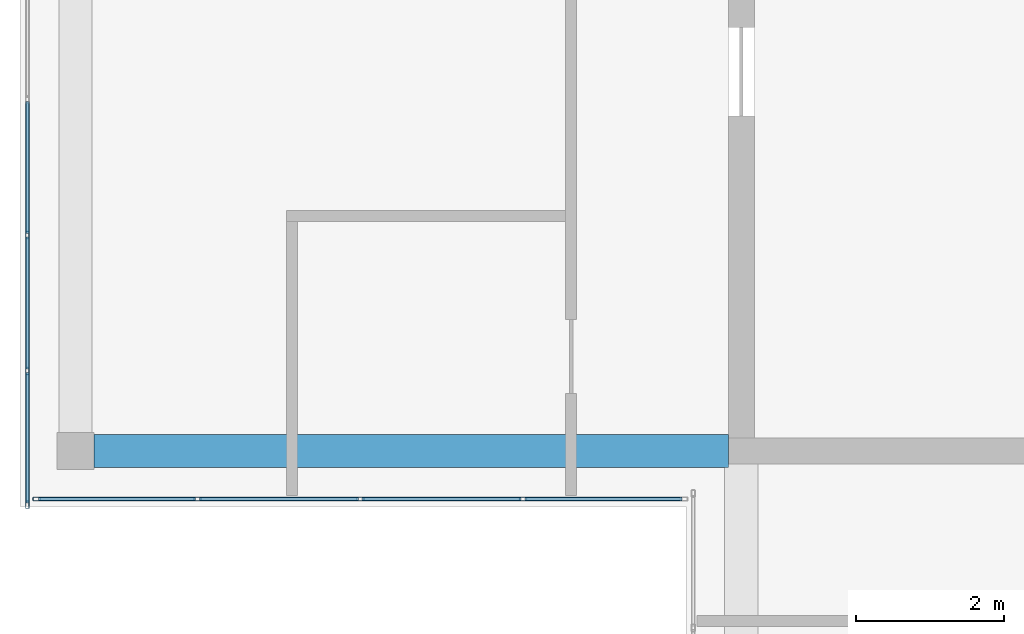
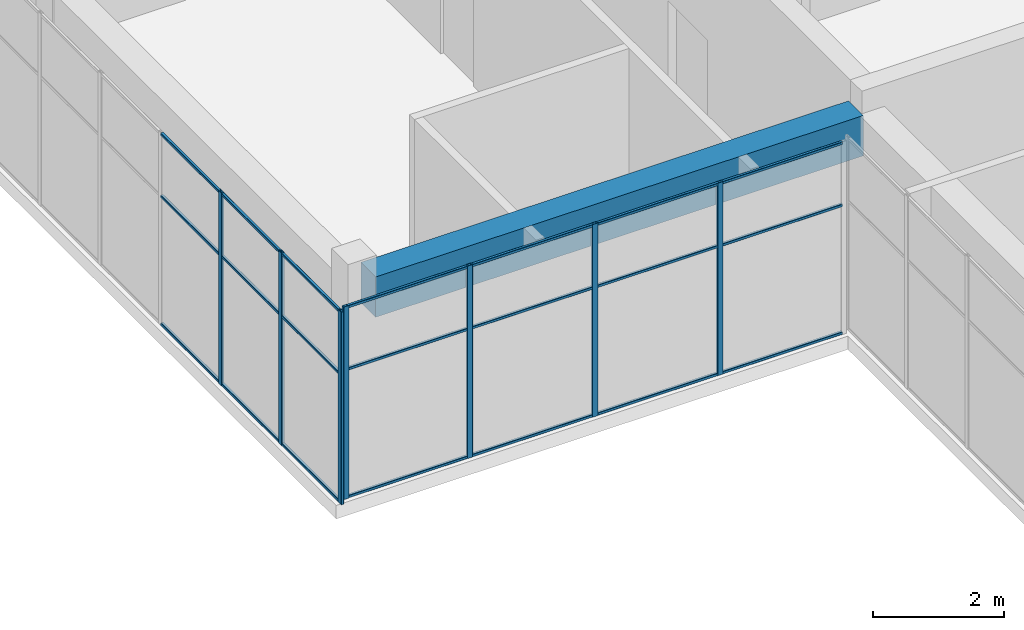
# One storey, part 4 of 36: 28 members, 1 beam, 2 elements without a shape of their own.
"""IFC4 building model written with IfcOpenShell, lengths in metres."""

from ifc_helpers import new_model, si_unit, direction, frame, origin, origin_2d, place, context, subcontext, project, spatial, rectangle, hollow_rectangle, extrude, material, layer, layer_set, material_profile, profile_set, type_object, element, aggregate, save


model = new_model("IFC4")

# Units and contexts
model_context = context("Model", 3, precision=1e-05, world=origin(), true_north=direction((0.0, 1.0)))
body_context = subcontext(model_context, "Body", "Model", "MODEL_VIEW")
ifc_project = project(units=[si_unit("LENGTHUNIT", "METRE"), si_unit("AREAUNIT", "SQUARE_METRE"), si_unit("VOLUMEUNIT", "CUBIC_METRE"), si_unit("PLANEANGLEUNIT", "RADIAN"), si_unit("MASSUNIT", "GRAM", prefix="KILO")], contexts=[model_context])

# Site, building, storey
site_placement = place(None, origin())
site = spatial("IfcSite", under=ifc_project, at=site_placement, CompositionType="ELEMENT")
building_placement = place(site_placement, origin())
building = spatial("IfcBuilding", under=site, at=building_placement, Name="Tuart Plaza Theatre", CompositionType="ELEMENT")
storey_placement = place(building_placement, frame((0.0, 0.0, 61.5)))
storey = spatial("IfcBuildingStorey", under=building, at=storey_placement, Name="L15", CompositionType="ELEMENT", Elevation=61.5)

# Beam
ifc_material_1 = material(Name="Concrete N40 (40 MPa)", Category="concrete")
ifc_material_profile_1 = material_profile(ifc_material_1, rectangle(XDim=0.449951171875, YDim=0.75, at=origin_2d()), Name="BEAM 450x750 Concrete N40 (40 MPa)")
ifc_profile_set_1 = profile_set([ifc_material_profile_1], Name="Concrete N40 (40 MPa)")
beam_type = type_object("IfcBeamType", Name="BEAM 450x750 Concrete N40 (40 MPa)", PredefinedType="BEAM", material=ifc_profile_set_1)
beam_placement = place(storey_placement, frame((114.25, 65.0, 3.205078125), z_axis=(1.0, 0.0, 0.0), x_axis=(0.0, 1.0, 0.0)))
element("IfcBeam", 1, at=beam_placement, inside=storey, type_object=beam_type, Name="RB319", PredefinedType="BEAM", context=body_context, shape_type="SweptSolid", body=[
    extrude(rectangle(XDim=0.449951171875, YDim=0.75, at=origin_2d()), origin(), (0.0, 0.0, 1.0), 8.574951171875),
])

# Curtain wall, members
ifc_material_2 = material(Name="Aluminium and glass", Category="aluminium")
ifc_layer_1 = layer(ifc_material_2, 0.10009765625)
ifc_layer_set_1 = layer_set([ifc_layer_1], Name="CURTAIN WALL 1800 module")
curtain_wall_type_1 = type_object("IfcCurtainWallType", Name="CURTAIN WALL 1800 module", PredefinedType="NOTDEFINED", material=ifc_layer_set_1)
curtain_wall_1_placement = place(storey_placement, origin())
curtain_wall_1 = element("IfcCurtainWall", 2, at=curtain_wall_1_placement, inside=storey, type_object=curtain_wall_type_1, Name="CW118", PredefinedType="NOTDEFINED")
ifc_material_3 = material(Name="Aluminium 6063-T5", Category="aluminium")
ifc_material_profile_2 = material_profile(ifc_material_3, hollow_rectangle(XDim=0.050048828125, YDim=0.10009765625, WallThickness=0.00390625, InnerFilletRadius=0.00390625, OuterFilletRadius=0.008056640625, at=origin_2d()), Name="RHS 100x50x4")
ifc_profile_set_2 = profile_set([ifc_material_profile_2], Name="Aluminium 6063-T5")
member_type_1 = type_object("IfcMemberType", Name="MULLION RHS 100x50x4", PredefinedType="MULLION", material=ifc_profile_set_2)
member_1_placement = place(storey_placement, frame((113.35009765625, 67.916748046875, 0.0), z_axis=(0.0, 0.0, 1.0), x_axis=(1.0, 0.0, 0.0)))
member_1 = element("IfcMember", 3, at=member_1_placement, type_object=member_type_1, Name="CW118 mullion 17", PredefinedType="MULLION", context=body_context, shape_type="SweptSolid", body=[
    extrude(hollow_rectangle(XDim=0.050048828125, YDim=0.10009765625, WallThickness=0.00390625, InnerFilletRadius=0.00390625, OuterFilletRadius=0.008056640625, at=origin_2d()), origin(), (0.0, 0.0, 1.0), 3.580078125),
])
member_2_placement = place(storey_placement, frame((113.35009765625, 66.083251953125, 0.0), z_axis=(0.0, 0.0, 1.0), x_axis=(1.0, 0.0, 0.0)))
member_2 = element("IfcMember", 4, at=member_2_placement, type_object=member_type_1, Name="CW118 mullion 18", PredefinedType="MULLION", context=body_context, shape_type="SweptSolid", body=[
    extrude(hollow_rectangle(XDim=0.050048828125, YDim=0.10009765625, WallThickness=0.00390625, InnerFilletRadius=0.00390625, OuterFilletRadius=0.008056640625, at=origin_2d()), origin(), (0.0, 0.0, 1.0), 3.580078125),
])
member_3_placement = place(storey_placement, frame((113.35009765625, 64.27490234375, 0.0), z_axis=(0.0, 0.0, 1.0), x_axis=(1.0, 0.0, 0.0)))
member_3 = element("IfcMember", 5, at=member_3_placement, type_object=member_type_1, Name="CW118 mullion 19", PredefinedType="MULLION", context=body_context, shape_type="SweptSolid", body=[
    extrude(hollow_rectangle(XDim=0.050048828125, YDim=0.10009765625, WallThickness=0.00390625, InnerFilletRadius=0.00390625, OuterFilletRadius=0.008056640625, at=origin_2d()), origin(), (0.0, 0.0, 1.0), 3.580078125),
])

ifc_material_4 = material(Name="Aluminium and glass", Category="aluminium")
ifc_layer_2 = layer(ifc_material_4, 0.10009765625)
ifc_layer_set_2 = layer_set([ifc_layer_2], Name="CURTAIN WALL 2000 module")
curtain_wall_type_2 = type_object("IfcCurtainWallType", Name="CURTAIN WALL 2000 module", PredefinedType="NOTDEFINED", material=ifc_layer_set_2)
curtain_wall_2_placement = place(storey_placement, origin())
curtain_wall_2 = element("IfcCurtainWall", 6, at=curtain_wall_2_placement, inside=storey, type_object=curtain_wall_type_2, Name="CW120", PredefinedType="NOTDEFINED")
member_4_placement = place(storey_placement, frame((113.47509765625, 64.35009765625, 0.0), z_axis=(0.0, 0.0, 1.0), x_axis=(0.0, 1.0, 0.0)))
member_4 = element("IfcMember", 7, at=member_4_placement, type_object=member_type_1, Name="CW120 mullion 1", PredefinedType="MULLION", context=body_context, shape_type="SweptSolid", body=[
    extrude(hollow_rectangle(XDim=0.050048828125, YDim=0.10009765625, WallThickness=0.00390625, InnerFilletRadius=0.00390625, OuterFilletRadius=0.008056640625, at=origin_2d()), origin(), (0.0, 0.0, 1.0), 3.580078125),
])
member_5_placement = place(storey_placement, frame((115.64990234375, 64.35009765625, 0.0), z_axis=(0.0, 0.0, 1.0), x_axis=(0.0, 1.0, 0.0)))
member_5 = element("IfcMember", 8, at=member_5_placement, type_object=member_type_1, Name="CW120 mullion 2", PredefinedType="MULLION", context=body_context, shape_type="SweptSolid", body=[
    extrude(hollow_rectangle(XDim=0.050048828125, YDim=0.10009765625, WallThickness=0.00390625, InnerFilletRadius=0.00390625, OuterFilletRadius=0.008056640625, at=origin_2d()), origin(), (0.0, 0.0, 1.0), 3.580078125),
])
member_6_placement = place(storey_placement, frame((117.85009765625, 64.35009765625, 0.0), z_axis=(0.0, 0.0, 1.0), x_axis=(0.0, 1.0, 0.0)))
member_6 = element("IfcMember", 9, at=member_6_placement, type_object=member_type_1, Name="CW120 mullion 3", PredefinedType="MULLION", context=body_context, shape_type="SweptSolid", body=[
    extrude(hollow_rectangle(XDim=0.050048828125, YDim=0.10009765625, WallThickness=0.00390625, InnerFilletRadius=0.00390625, OuterFilletRadius=0.008056640625, at=origin_2d()), origin(), (0.0, 0.0, 1.0), 3.580078125),
])
member_7_placement = place(storey_placement, frame((120.050048828125, 64.35009765625, 0.0), z_axis=(0.0, 0.0, 1.0), x_axis=(0.0, 1.0, 0.0)))
member_7 = element("IfcMember", 10, at=member_7_placement, type_object=member_type_1, Name="CW120 mullion 4", PredefinedType="MULLION", context=body_context, shape_type="SweptSolid", body=[
    extrude(hollow_rectangle(XDim=0.050048828125, YDim=0.10009765625, WallThickness=0.00390625, InnerFilletRadius=0.00390625, OuterFilletRadius=0.008056640625, at=origin_2d()), origin(), (0.0, 0.0, 1.0), 3.580078125),
])

# Member
ifc_material_5 = material(Name="Aluminium 6063-T5", Category="aluminium")
ifc_material_profile_3 = material_profile(ifc_material_5, hollow_rectangle(XDim=0.050048828125, YDim=0.050048828125, WallThickness=0.00390625, InnerFilletRadius=0.00390625, OuterFilletRadius=0.008056640625, at=origin_2d()), Name="RHS 50x50x4")
ifc_profile_set_3 = profile_set([ifc_material_profile_3], Name="Aluminium 6063-T5")
member_type_2 = type_object("IfcMemberType", Name="TRANSOM RHS 50x50x4", PredefinedType="USERDEFINED", material=ifc_profile_set_3)
member_8_placement = place(storey_placement, frame((113.35009765625, 69.72509765625, 0.02490234375), z_axis=(0.0, -1.0, 0.0), x_axis=(1.0, 0.0, 0.0)))
member_8 = element("IfcMember", 11, at=member_8_placement, type_object=member_type_2, Name="CW118 transom 16.1", ObjectType="TRANSOM", PredefinedType="USERDEFINED", context=body_context, shape_type="SweptSolid", body=[
    extrude(hollow_rectangle(XDim=0.050048828125, YDim=0.050048828125, WallThickness=0.00390625, InnerFilletRadius=0.00390625, OuterFilletRadius=0.008056640625, at=origin_2d()), origin(), (0.0, 0.0, 1.0), 1.783447265625),
])

member_9_placement = place(storey_placement, frame((113.35009765625, 69.72509765625, 2.39990234375), z_axis=(0.0, -1.0, 0.0), x_axis=(1.0, 0.0, 0.0)))
member_9 = element("IfcMember", 12, at=member_9_placement, type_object=member_type_2, Name="CW118 transom 16.2", ObjectType="TRANSOM", PredefinedType="USERDEFINED", context=body_context, shape_type="SweptSolid", body=[
    extrude(hollow_rectangle(XDim=0.050048828125, YDim=0.050048828125, WallThickness=0.00390625, InnerFilletRadius=0.00390625, OuterFilletRadius=0.008056640625, at=origin_2d()), origin(), (0.0, 0.0, 1.0), 1.783447265625),
])

member_10_placement = place(storey_placement, frame((113.35009765625, 69.72509765625, 3.554931640625), z_axis=(0.0, -1.0, 0.0), x_axis=(1.0, 0.0, 0.0)))
member_10 = element("IfcMember", 13, at=member_10_placement, type_object=member_type_2, Name="CW118 transom 16.3", ObjectType="TRANSOM", PredefinedType="USERDEFINED", context=body_context, shape_type="SweptSolid", body=[
    extrude(hollow_rectangle(XDim=0.050048828125, YDim=0.050048828125, WallThickness=0.00390625, InnerFilletRadius=0.00390625, OuterFilletRadius=0.008056640625, at=origin_2d()), origin(), (0.0, 0.0, 1.0), 1.783447265625),
])

member_11_placement = place(storey_placement, frame((113.35009765625, 67.8916015625, 0.02490234375), z_axis=(0.0, -1.0, 0.0), x_axis=(1.0, 0.0, 0.0)))
member_11 = element("IfcMember", 14, at=member_11_placement, type_object=member_type_2, Name="CW118 transom 17.1", ObjectType="TRANSOM", PredefinedType="USERDEFINED", context=body_context, shape_type="SweptSolid", body=[
    extrude(hollow_rectangle(XDim=0.050048828125, YDim=0.050048828125, WallThickness=0.00390625, InnerFilletRadius=0.00390625, OuterFilletRadius=0.008056640625, at=origin_2d()), origin(), (0.0, 0.0, 1.0), 1.783203125),
])

member_12_placement = place(storey_placement, frame((113.35009765625, 67.8916015625, 2.39990234375), z_axis=(0.0, -1.0, 0.0), x_axis=(1.0, 0.0, 0.0)))
member_12 = element("IfcMember", 15, at=member_12_placement, type_object=member_type_2, Name="CW118 transom 17.2", ObjectType="TRANSOM", PredefinedType="USERDEFINED", context=body_context, shape_type="SweptSolid", body=[
    extrude(hollow_rectangle(XDim=0.050048828125, YDim=0.050048828125, WallThickness=0.00390625, InnerFilletRadius=0.00390625, OuterFilletRadius=0.008056640625, at=origin_2d()), origin(), (0.0, 0.0, 1.0), 1.783203125),
])

member_13_placement = place(storey_placement, frame((113.35009765625, 67.8916015625, 3.554931640625), z_axis=(0.0, -1.0, 0.0), x_axis=(1.0, 0.0, 0.0)))
member_13 = element("IfcMember", 16, at=member_13_placement, type_object=member_type_2, Name="CW118 transom 17.3", ObjectType="TRANSOM", PredefinedType="USERDEFINED", context=body_context, shape_type="SweptSolid", body=[
    extrude(hollow_rectangle(XDim=0.050048828125, YDim=0.050048828125, WallThickness=0.00390625, InnerFilletRadius=0.00390625, OuterFilletRadius=0.008056640625, at=origin_2d()), origin(), (0.0, 0.0, 1.0), 1.783203125),
])

member_14_placement = place(storey_placement, frame((113.35009765625, 66.058349609375, 0.02490234375), z_axis=(0.0, -1.0, 0.0), x_axis=(1.0, 0.0, 0.0)))
member_14 = element("IfcMember", 17, at=member_14_placement, type_object=member_type_2, Name="CW118 transom 18.1", ObjectType="TRANSOM", PredefinedType="USERDEFINED", context=body_context, shape_type="SweptSolid", body=[
    extrude(hollow_rectangle(XDim=0.050048828125, YDim=0.050048828125, WallThickness=0.00390625, InnerFilletRadius=0.00390625, OuterFilletRadius=0.008056640625, at=origin_2d()), origin(), (0.0, 0.0, 1.0), 1.75830078125),
])

member_15_placement = place(storey_placement, frame((113.35009765625, 66.058349609375, 2.39990234375), z_axis=(0.0, -1.0, 0.0), x_axis=(1.0, 0.0, 0.0)))
member_15 = element("IfcMember", 18, at=member_15_placement, type_object=member_type_2, Name="CW118 transom 18.2", ObjectType="TRANSOM", PredefinedType="USERDEFINED", context=body_context, shape_type="SweptSolid", body=[
    extrude(hollow_rectangle(XDim=0.050048828125, YDim=0.050048828125, WallThickness=0.00390625, InnerFilletRadius=0.00390625, OuterFilletRadius=0.008056640625, at=origin_2d()), origin(), (0.0, 0.0, 1.0), 1.75830078125),
])

member_16_placement = place(storey_placement, frame((113.35009765625, 66.058349609375, 3.554931640625), z_axis=(0.0, -1.0, 0.0), x_axis=(1.0, 0.0, 0.0)))
member_16 = element("IfcMember", 19, at=member_16_placement, type_object=member_type_2, Name="CW118 transom 18.3", ObjectType="TRANSOM", PredefinedType="USERDEFINED", context=body_context, shape_type="SweptSolid", body=[
    extrude(hollow_rectangle(XDim=0.050048828125, YDim=0.050048828125, WallThickness=0.00390625, InnerFilletRadius=0.00390625, OuterFilletRadius=0.008056640625, at=origin_2d()), origin(), (0.0, 0.0, 1.0), 1.75830078125),
])

aggregate(curtain_wall_1, [member_1, member_2, member_3, member_8, member_9, member_10, member_11, member_12, member_13, member_14, member_15, member_16])

member_17_placement = place(storey_placement, frame((113.5, 64.35009765625, 0.02490234375), z_axis=(1.0, 0.0, 0.0), x_axis=(0.0, 1.0, 0.0)))
member_17 = element("IfcMember", 20, at=member_17_placement, type_object=member_type_2, Name="CW120 transom 1.1", ObjectType="TRANSOM", PredefinedType="USERDEFINED", context=body_context, shape_type="SweptSolid", body=[
    extrude(hollow_rectangle(XDim=0.050048828125, YDim=0.050048828125, WallThickness=0.00390625, InnerFilletRadius=0.00390625, OuterFilletRadius=0.008056640625, at=origin_2d()), origin(), (0.0, 0.0, 1.0), 2.125),
])

member_18_placement = place(storey_placement, frame((113.5, 64.35009765625, 2.39990234375), z_axis=(1.0, 0.0, 0.0), x_axis=(0.0, 1.0, 0.0)))
member_18 = element("IfcMember", 21, at=member_18_placement, type_object=member_type_2, Name="CW120 transom 1.2", ObjectType="TRANSOM", PredefinedType="USERDEFINED", context=body_context, shape_type="SweptSolid", body=[
    extrude(hollow_rectangle(XDim=0.050048828125, YDim=0.050048828125, WallThickness=0.00390625, InnerFilletRadius=0.00390625, OuterFilletRadius=0.008056640625, at=origin_2d()), origin(), (0.0, 0.0, 1.0), 2.125),
])

member_19_placement = place(storey_placement, frame((113.5, 64.35009765625, 3.554931640625), z_axis=(1.0, 0.0, 0.0), x_axis=(0.0, 1.0, 0.0)))
member_19 = element("IfcMember", 22, at=member_19_placement, type_object=member_type_2, Name="CW120 transom 1.3", ObjectType="TRANSOM", PredefinedType="USERDEFINED", context=body_context, shape_type="SweptSolid", body=[
    extrude(hollow_rectangle(XDim=0.050048828125, YDim=0.050048828125, WallThickness=0.00390625, InnerFilletRadius=0.00390625, OuterFilletRadius=0.008056640625, at=origin_2d()), origin(), (0.0, 0.0, 1.0), 2.125),
])

member_20_placement = place(storey_placement, frame((115.675048828125, 64.35009765625, 0.02490234375), z_axis=(1.0, 0.0, 0.0), x_axis=(0.0, 1.0, 0.0)))
member_20 = element("IfcMember", 23, at=member_20_placement, type_object=member_type_2, Name="CW120 transom 2.1", ObjectType="TRANSOM", PredefinedType="USERDEFINED", context=body_context, shape_type="SweptSolid", body=[
    extrude(hollow_rectangle(XDim=0.050048828125, YDim=0.050048828125, WallThickness=0.00390625, InnerFilletRadius=0.00390625, OuterFilletRadius=0.008056640625, at=origin_2d()), origin(), (0.0, 0.0, 1.0), 2.14990234375),
])

member_21_placement = place(storey_placement, frame((115.675048828125, 64.35009765625, 2.39990234375), z_axis=(1.0, 0.0, 0.0), x_axis=(0.0, 1.0, 0.0)))
member_21 = element("IfcMember", 24, at=member_21_placement, type_object=member_type_2, Name="CW120 transom 2.2", ObjectType="TRANSOM", PredefinedType="USERDEFINED", context=body_context, shape_type="SweptSolid", body=[
    extrude(hollow_rectangle(XDim=0.050048828125, YDim=0.050048828125, WallThickness=0.00390625, InnerFilletRadius=0.00390625, OuterFilletRadius=0.008056640625, at=origin_2d()), origin(), (0.0, 0.0, 1.0), 2.14990234375),
])

member_22_placement = place(storey_placement, frame((115.675048828125, 64.35009765625, 3.554931640625), z_axis=(1.0, 0.0, 0.0), x_axis=(0.0, 1.0, 0.0)))
member_22 = element("IfcMember", 25, at=member_22_placement, type_object=member_type_2, Name="CW120 transom 2.3", ObjectType="TRANSOM", PredefinedType="USERDEFINED", context=body_context, shape_type="SweptSolid", body=[
    extrude(hollow_rectangle(XDim=0.050048828125, YDim=0.050048828125, WallThickness=0.00390625, InnerFilletRadius=0.00390625, OuterFilletRadius=0.008056640625, at=origin_2d()), origin(), (0.0, 0.0, 1.0), 2.14990234375),
])

member_23_placement = place(storey_placement, frame((117.875, 64.35009765625, 0.02490234375), z_axis=(1.0, 0.0, 0.0), x_axis=(0.0, 1.0, 0.0)))
member_23 = element("IfcMember", 26, at=member_23_placement, type_object=member_type_2, Name="CW120 transom 3.1", ObjectType="TRANSOM", PredefinedType="USERDEFINED", context=body_context, shape_type="SweptSolid", body=[
    extrude(hollow_rectangle(XDim=0.050048828125, YDim=0.050048828125, WallThickness=0.00390625, InnerFilletRadius=0.00390625, OuterFilletRadius=0.008056640625, at=origin_2d()), origin(), (0.0, 0.0, 1.0), 2.14990234375),
])

member_24_placement = place(storey_placement, frame((117.875, 64.35009765625, 2.39990234375), z_axis=(1.0, 0.0, 0.0), x_axis=(0.0, 1.0, 0.0)))
member_24 = element("IfcMember", 27, at=member_24_placement, type_object=member_type_2, Name="CW120 transom 3.2", ObjectType="TRANSOM", PredefinedType="USERDEFINED", context=body_context, shape_type="SweptSolid", body=[
    extrude(hollow_rectangle(XDim=0.050048828125, YDim=0.050048828125, WallThickness=0.00390625, InnerFilletRadius=0.00390625, OuterFilletRadius=0.008056640625, at=origin_2d()), origin(), (0.0, 0.0, 1.0), 2.14990234375),
])

member_25_placement = place(storey_placement, frame((117.875, 64.35009765625, 3.554931640625), z_axis=(1.0, 0.0, 0.0), x_axis=(0.0, 1.0, 0.0)))
member_25 = element("IfcMember", 28, at=member_25_placement, type_object=member_type_2, Name="CW120 transom 3.3", ObjectType="TRANSOM", PredefinedType="USERDEFINED", context=body_context, shape_type="SweptSolid", body=[
    extrude(hollow_rectangle(XDim=0.050048828125, YDim=0.050048828125, WallThickness=0.00390625, InnerFilletRadius=0.00390625, OuterFilletRadius=0.008056640625, at=origin_2d()), origin(), (0.0, 0.0, 1.0), 2.14990234375),
])

member_26_placement = place(storey_placement, frame((120.074951171875, 64.35009765625, 0.02490234375), z_axis=(1.0, 0.0, 0.0), x_axis=(0.0, 1.0, 0.0)))
member_26 = element("IfcMember", 29, at=member_26_placement, type_object=member_type_2, Name="CW120 transom 4.1", ObjectType="TRANSOM", PredefinedType="USERDEFINED", context=body_context, shape_type="SweptSolid", body=[
    extrude(hollow_rectangle(XDim=0.050048828125, YDim=0.050048828125, WallThickness=0.00390625, InnerFilletRadius=0.00390625, OuterFilletRadius=0.008056640625, at=origin_2d()), origin(), (0.0, 0.0, 1.0), 2.125),
])

member_27_placement = place(storey_placement, frame((120.074951171875, 64.35009765625, 2.39990234375), z_axis=(1.0, 0.0, 0.0), x_axis=(0.0, 1.0, 0.0)))
member_27 = element("IfcMember", 30, at=member_27_placement, type_object=member_type_2, Name="CW120 transom 4.2", ObjectType="TRANSOM", PredefinedType="USERDEFINED", context=body_context, shape_type="SweptSolid", body=[
    extrude(hollow_rectangle(XDim=0.050048828125, YDim=0.050048828125, WallThickness=0.00390625, InnerFilletRadius=0.00390625, OuterFilletRadius=0.008056640625, at=origin_2d()), origin(), (0.0, 0.0, 1.0), 2.125),
])

member_28_placement = place(storey_placement, frame((120.074951171875, 64.35009765625, 3.554931640625), z_axis=(1.0, 0.0, 0.0), x_axis=(0.0, 1.0, 0.0)))
member_28 = element("IfcMember", 31, at=member_28_placement, type_object=member_type_2, Name="CW120 transom 4.3", ObjectType="TRANSOM", PredefinedType="USERDEFINED", context=body_context, shape_type="SweptSolid", body=[
    extrude(hollow_rectangle(XDim=0.050048828125, YDim=0.050048828125, WallThickness=0.00390625, InnerFilletRadius=0.00390625, OuterFilletRadius=0.008056640625, at=origin_2d()), origin(), (0.0, 0.0, 1.0), 2.125),
])

aggregate(curtain_wall_2, [member_4, member_5, member_6, member_7, member_17, member_18, member_19, member_20, member_21, member_22, member_23, member_24, member_25, member_26, member_27, member_28])

save(model, "model.ifc")
